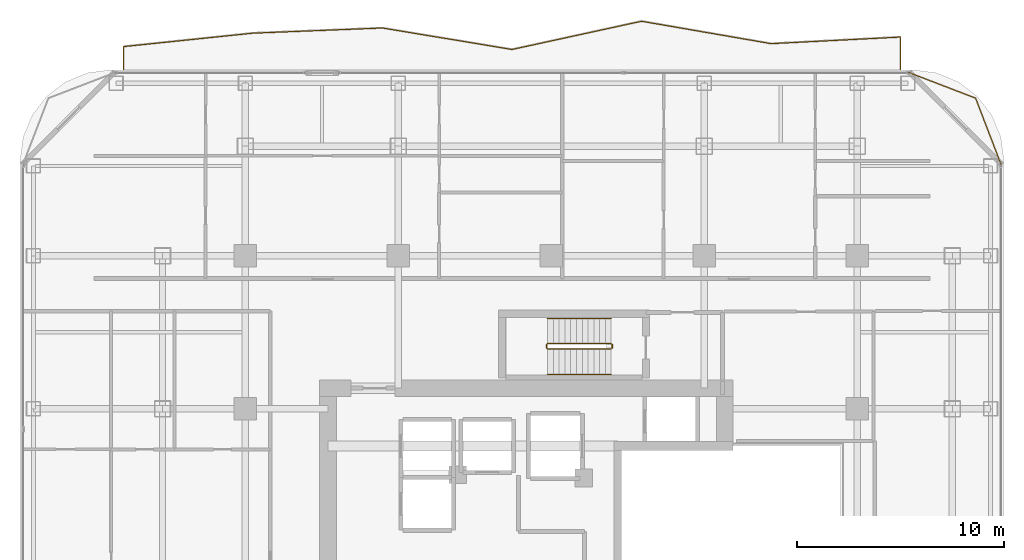
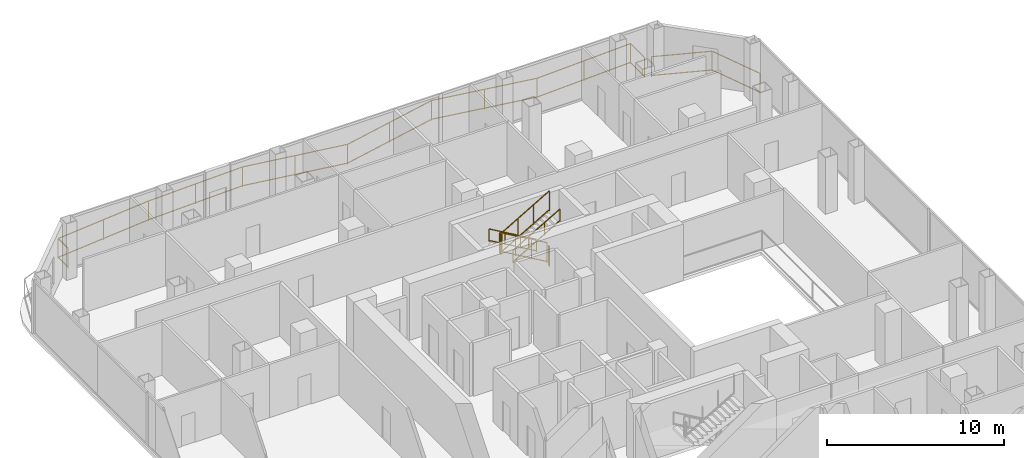
# One storey, part 25 of 25: 8 railings.
"""IFC4 building model written with IfcOpenShell, lengths in metres."""

from ifc_helpers import new_model, si_unit, direction, frame, origin, origin_2d, place, context, subcontext, project, spatial, rectangle, extrude, material, type_object, element, save


model = new_model("IFC4")

# Units and contexts
model_context = context("Model", 3, precision=1e-05, world=origin(), true_north=direction((0.0, 1.0)))
body_context = subcontext(model_context, "Body", "Model", "MODEL_VIEW")
ifc_project = project(units=[si_unit("LENGTHUNIT", "METRE"), si_unit("AREAUNIT", "SQUARE_METRE"), si_unit("VOLUMEUNIT", "CUBIC_METRE"), si_unit("PLANEANGLEUNIT", "RADIAN"), si_unit("MASSUNIT", "GRAM", prefix="KILO")], contexts=[model_context])

# Site, building, storey
site_placement = place(None, origin())
site = spatial("IfcSite", under=ifc_project, at=site_placement, CompositionType="ELEMENT")
building_placement = place(site_placement, origin())
building = spatial("IfcBuilding", under=site, at=building_placement, Name="Khorvyn Point Tower", CompositionType="ELEMENT")
storey_placement = place(building_placement, frame((0.0, 0.0, 171.89990234375)))
storey = spatial("IfcBuildingStorey", under=building, at=storey_placement, Name="L42", CompositionType="ELEMENT", Elevation=171.89990234375)

# Railings
ifc_material_1 = material(Name="Anodised aluminium 6063-T6 and laminated safety glass", Category="aluminium")
railing_type_1 = type_object("IfcRailingType", Name="Laminated Glass and Aluminium Balcony Guardrail 1400", PredefinedType="BALUSTRADE", material=ifc_material_1)
railing_1_placement = place(storey_placement, frame((21.774169921875, 19.176025390625, 0.0)))
element("IfcRailing", 1, at=railing_1_placement, inside=storey, type_object=railing_type_1, Name="L42 Rounded Corner Edge Guardrail NE", PredefinedType="BALUSTRADE", context=body_context, shape_type="SweptSolid", body=[
    extrude(rectangle(XDim=0.048095703125, YDim=0.048095703125, at=origin_2d()), frame((0.0, 0.0, 1.3759765625), z_axis=(-0.358382264808, 0.933574931257, 0.0), x_axis=(-0.933574931257, -0.358382264808, 0.0)), (0.0, 0.0, 1.0), 3.481689453125),
    extrude(rectangle(XDim=0.048095703125, YDim=0.048095703125, at=origin_2d()), frame((0.0, 0.0, 0.080078125), z_axis=(-0.358382264808, 0.933574931257, 0.0), x_axis=(-0.933574931257, -0.358382264808, 0.0)), (0.0, 0.0, 1.0), 3.481689453125),
    extrude(rectangle(XDim=0.048095703125, YDim=0.048095703125, at=origin_2d()), frame((-1.247802734375, 3.25048828125, 1.3759765625), z_axis=(-0.933598390295, 0.358321148746, 0.0), x_axis=(-0.358321148746, -0.933598390295, 0.0)), (0.0, 0.0, 1.0), 3.481689453125),
    extrude(rectangle(XDim=0.048095703125, YDim=0.048095703125, at=origin_2d()), frame((-1.247802734375, 3.25048828125, 0.080078125), z_axis=(-0.933598390295, 0.358321148746, 0.0), x_axis=(-0.358321148746, -0.933598390295, 0.0)), (0.0, 0.0, 1.0), 3.481689453125),
    extrude(rectangle(XDim=0.0419921875, YDim=0.0419921875, at=origin_2d()), origin(), (0.0, 0.0, 1.0), 1.351806640625),
    extrude(rectangle(XDim=0.0419921875, YDim=0.0419921875, at=origin_2d()), frame((-1.247802734375, 3.25048828125, 0.0)), (0.0, 0.0, 1.0), 1.351806640625),
    extrude(rectangle(XDim=0.0419921875, YDim=0.0419921875, at=origin_2d()), frame((-4.498291015625, 4.498046875, 0.0)), (0.0, 0.0, 1.0), 1.351806640625),
])
railing_2_placement = place(storey_placement, frame((16.89990234375, 23.800048828125, 0.0)))
element("IfcRailing", 2, at=railing_2_placement, inside=storey, type_object=railing_type_1, Name="L42 North Balcony Guardrail", PredefinedType="BALUSTRADE", context=body_context, shape_type="SweptSolid", body=[
    extrude(rectangle(XDim=0.048095703125, YDim=0.048095703125, at=origin_2d()), frame((0.0, 0.0, 1.3759765625), z_axis=(0.0, 1.0, 0.0), x_axis=(-1.0, 0.0, 0.0)), (0.0, 0.0, 1.0), 1.58154296875),
    extrude(rectangle(XDim=0.048095703125, YDim=0.048095703125, at=origin_2d()), frame((0.0, 0.0, 0.080078125), z_axis=(0.0, 1.0, 0.0), x_axis=(-1.0, 0.0, 0.0)), (0.0, 0.0, 1.0), 1.58154296875),
    extrude(rectangle(XDim=0.048095703125, YDim=0.048095703125, at=origin_2d()), frame((0.0, 1.58154296875, 1.3759765625), z_axis=(-0.998706121207, -0.050853549183, 0.0), x_axis=(0.050853549183, -0.998706121207, 0.0)), (0.0, 0.0, 1.0), 6.274658203125),
    extrude(rectangle(XDim=0.048095703125, YDim=0.048095703125, at=origin_2d()), frame((0.0, 1.58154296875, 0.080078125), z_axis=(-0.998706121207, -0.050853549183, 0.0), x_axis=(0.050853549183, -0.998706121207, 0.0)), (0.0, 0.0, 1.0), 6.274658203125),
    extrude(rectangle(XDim=0.048095703125, YDim=0.048095703125, at=origin_2d()), frame((-6.2666015625, 1.262451171875, 1.3759765625), z_axis=(-0.985353979217, 0.170521364177, 0.0), x_axis=(-0.170521364177, -0.985353979217, 0.0)), (0.0, 0.0, 1.0), 6.35986328125),
    extrude(rectangle(XDim=0.048095703125, YDim=0.048095703125, at=origin_2d()), frame((-6.2666015625, 1.262451171875, 0.080078125), z_axis=(-0.985353979217, 0.170521364177, 0.0), x_axis=(-0.170521364177, -0.985353979217, 0.0)), (0.0, 0.0, 1.0), 6.35986328125),
    extrude(rectangle(XDim=0.048095703125, YDim=0.048095703125, at=origin_2d()), frame((-12.533203125, 2.346923828125, 1.3759765625), z_axis=(-0.977049765943, -0.213011161377, 0.0), x_axis=(0.213011161377, -0.977049765943, 0.0)), (0.0, 0.0, 1.0), 6.413818359375),
    extrude(rectangle(XDim=0.048095703125, YDim=0.048095703125, at=origin_2d()), frame((-12.533203125, 2.346923828125, 0.080078125), z_axis=(-0.977049765943, -0.213011161377, 0.0), x_axis=(0.213011161377, -0.977049765943, 0.0)), (0.0, 0.0, 1.0), 6.413818359375),
    extrude(rectangle(XDim=0.048095703125, YDim=0.048095703125, at=origin_2d()), frame((-18.7998046875, 0.980712890625, 1.3759765625), z_axis=(-0.986525523457, 0.163607431273, 0.0), x_axis=(-0.163607431273, -0.986525523457, 0.0)), (0.0, 0.0, 1.0), 6.3525390625),
    extrude(rectangle(XDim=0.048095703125, YDim=0.048095703125, at=origin_2d()), frame((-18.7998046875, 0.980712890625, 0.080078125), z_axis=(-0.986525523457, 0.163607431273, 0.0), x_axis=(-0.163607431273, -0.986525523457, 0.0)), (0.0, 0.0, 1.0), 6.3525390625),
    extrude(rectangle(XDim=0.048095703125, YDim=0.048095703125, at=origin_2d()), frame((-25.066650390625, 2.02001953125, 1.3759765625), z_axis=(-0.999209826541, -0.039745723582, 0.0), x_axis=(0.039745723582, -0.999209826541, 0.0)), (0.0, 0.0, 1.0), 6.271484375),
    extrude(rectangle(XDim=0.048095703125, YDim=0.048095703125, at=origin_2d()), frame((-25.066650390625, 2.02001953125, 0.080078125), z_axis=(-0.999209826541, -0.039745723582, 0.0), x_axis=(0.039745723582, -0.999209826541, 0.0)), (0.0, 0.0, 1.0), 6.271484375),
    extrude(rectangle(XDim=0.048095703125, YDim=0.048095703125, at=origin_2d()), frame((-31.333251953125, 1.770751953125, 1.3759765625), z_axis=(-0.99462938435, -0.103500665638, 0.0), x_axis=(0.103500665638, -0.99462938435, 0.0)), (0.0, 0.0, 1.0), 6.300537109375),
    extrude(rectangle(XDim=0.048095703125, YDim=0.048095703125, at=origin_2d()), frame((-31.333251953125, 1.770751953125, 0.080078125), z_axis=(-0.99462938435, -0.103500665638, 0.0), x_axis=(0.103500665638, -0.99462938435, 0.0)), (0.0, 0.0, 1.0), 6.300537109375),
    extrude(rectangle(XDim=0.048095703125, YDim=0.048095703125, at=origin_2d()), frame((-37.599853515625, 1.11865234375, 1.3759765625), z_axis=(0.0, -1.0, 0.0), x_axis=(1.0, 0.0, 0.0)), (0.0, 0.0, 1.0), 1.11865234375),
    extrude(rectangle(XDim=0.048095703125, YDim=0.048095703125, at=origin_2d()), frame((-37.599853515625, 1.11865234375, 0.080078125), z_axis=(0.0, -1.0, 0.0), x_axis=(1.0, 0.0, 0.0)), (0.0, 0.0, 1.0), 1.11865234375),
    extrude(rectangle(XDim=0.0419921875, YDim=0.0419921875, at=origin_2d()), origin(), (0.0, 0.0, 1.0), 1.351806640625),
    extrude(rectangle(XDim=0.0419921875, YDim=0.0419921875, at=origin_2d()), frame((0.0, 1.58154296875, 0.0)), (0.0, 0.0, 1.0), 1.351806640625),
    extrude(rectangle(XDim=0.0419921875, YDim=0.0419921875, at=origin_2d()), frame((-3.13330078125, 1.421875, 0.0)), (0.0, 0.0, 1.0), 1.351806640625),
    extrude(rectangle(XDim=0.0419921875, YDim=0.0419921875, at=origin_2d()), frame((-6.2666015625, 1.262451171875, 0.0)), (0.0, 0.0, 1.0), 1.351806640625),
    extrude(rectangle(XDim=0.0419921875, YDim=0.0419921875, at=origin_2d()), frame((-9.39990234375, 1.8046875, 0.0)), (0.0, 0.0, 1.0), 1.351806640625),
    extrude(rectangle(XDim=0.0419921875, YDim=0.0419921875, at=origin_2d()), frame((-12.533203125, 2.346923828125, 0.0)), (0.0, 0.0, 1.0), 1.351806640625),
    extrude(rectangle(XDim=0.0419921875, YDim=0.0419921875, at=origin_2d()), frame((-15.66650390625, 1.663818359375, 0.0)), (0.0, 0.0, 1.0), 1.351806640625),
    extrude(rectangle(XDim=0.0419921875, YDim=0.0419921875, at=origin_2d()), frame((-18.7998046875, 0.980712890625, 0.0)), (0.0, 0.0, 1.0), 1.351806640625),
    extrude(rectangle(XDim=0.0419921875, YDim=0.0419921875, at=origin_2d()), frame((-21.93310546875, 1.50048828125, 0.0)), (0.0, 0.0, 1.0), 1.351806640625),
    extrude(rectangle(XDim=0.0419921875, YDim=0.0419921875, at=origin_2d()), frame((-25.066650390625, 2.02001953125, 0.0)), (0.0, 0.0, 1.0), 1.351806640625),
    extrude(rectangle(XDim=0.0419921875, YDim=0.0419921875, at=origin_2d()), frame((-28.199951171875, 1.8955078125, 0.0)), (0.0, 0.0, 1.0), 1.351806640625),
    extrude(rectangle(XDim=0.0419921875, YDim=0.0419921875, at=origin_2d()), frame((-31.333251953125, 1.770751953125, 0.0)), (0.0, 0.0, 1.0), 1.351806640625),
    extrude(rectangle(XDim=0.0419921875, YDim=0.0419921875, at=origin_2d()), frame((-34.466552734375, 1.44482421875, 0.0)), (0.0, 0.0, 1.0), 1.351806640625),
    extrude(rectangle(XDim=0.0419921875, YDim=0.0419921875, at=origin_2d()), frame((-37.599853515625, 1.11865234375, 0.0)), (0.0, 0.0, 1.0), 1.351806640625),
    extrude(rectangle(XDim=0.0419921875, YDim=0.0419921875, at=origin_2d()), frame((-37.599853515625, 0.0, 0.0)), (0.0, 0.0, 1.0), 1.351806640625),
])
ifc_material_2 = material(Name="Stainless steel 1.4301", Category="steel")
railing_type_2 = type_object("IfcRailingType", Name="Stainless Steel 304 Stair Pitch Handrail 900", PredefinedType="HANDRAIL", material=ifc_material_2)
railing_3_placement = place(storey_placement, frame((2.89990234375, 11.77001953125, 0.16259765625)))
element("IfcRailing", 3, at=railing_3_placement, inside=storey, type_object=railing_type_2, Name="L42 ST-02 stair handrail 1", PredefinedType="HANDRAIL", context=body_context, shape_type="SweptSolid", body=[
    extrude(rectangle(XDim=0.048095703125, YDim=0.048095703125, at=origin_2d()), frame((0.0, 0.0, 0.8759765625), z_axis=(-0.864873446163, 0.0, 0.501989962173), x_axis=(0.0, -1.0, 0.0)), (0.0, 0.0, 1.0), 3.56103515625),
    extrude(rectangle(XDim=0.048095703125, YDim=0.048095703125, at=origin_2d()), frame((0.0, 0.0, 0.080078125), z_axis=(-0.864873446163, 0.0, 0.501989962173), x_axis=(0.0, -1.0, 0.0)), (0.0, 0.0, 1.0), 3.56103515625),
    extrude(rectangle(XDim=0.0419921875, YDim=0.0419921875, at=origin_2d()), origin(), (0.0, 0.0, 1.0), 0.851806640625),
    extrude(rectangle(XDim=0.0419921875, YDim=0.0419921875, at=origin_2d()), frame((-1.026611328125, 0.0, 0.595947265625)), (0.0, 0.0, 1.0), 0.851806640625),
    extrude(rectangle(XDim=0.0419921875, YDim=0.0419921875, at=origin_2d()), frame((-2.05322265625, 0.0, 1.191650390625)), (0.0, 0.0, 1.0), 0.851806640625),
    extrude(rectangle(XDim=0.0419921875, YDim=0.0419921875, at=origin_2d()), frame((-3.079833984375, 0.0, 1.78759765625)), (0.0, 0.0, 1.0), 0.851806640625),
])
railing_4_placement = place(storey_placement, frame((-0.179931640625, 9.070068359375, 2.112548828125)))
element("IfcRailing", 4, at=railing_4_placement, inside=storey, type_object=railing_type_2, Name="L42 ST-02 stair handrail 2", PredefinedType="HANDRAIL", context=body_context, shape_type="SweptSolid", body=[
    extrude(rectangle(XDim=0.048095703125, YDim=0.048095703125, at=origin_2d()), frame((0.0, 0.0, 0.8759765625), z_axis=(0.864873446163, 0.0, 0.501989962173), x_axis=(0.0, 1.0, 0.0)), (0.0, 0.0, 1.0), 3.56103515625),
    extrude(rectangle(XDim=0.048095703125, YDim=0.048095703125, at=origin_2d()), frame((0.0, 0.0, 0.080078125), z_axis=(0.864873446163, 0.0, 0.501989962173), x_axis=(0.0, 1.0, 0.0)), (0.0, 0.0, 1.0), 3.56103515625),
    extrude(rectangle(XDim=0.0419921875, YDim=0.0419921875, at=origin_2d()), origin(), (0.0, 0.0, 1.0), 0.851806640625),
    extrude(rectangle(XDim=0.0419921875, YDim=0.0419921875, at=origin_2d()), frame((1.026611328125, 0.0, 0.595947265625)), (0.0, 0.0, 1.0), 0.851806640625),
    extrude(rectangle(XDim=0.0419921875, YDim=0.0419921875, at=origin_2d()), frame((2.05322265625, 0.0, 1.191650390625)), (0.0, 0.0, 1.0), 0.851806640625),
    extrude(rectangle(XDim=0.0419921875, YDim=0.0419921875, at=origin_2d()), frame((3.079833984375, 0.0, 1.78759765625)), (0.0, 0.0, 1.0), 0.851806640625),
])
railing_type_3 = type_object("IfcRailingType", Name="Stainless Steel 304 Stair Well Guardrail 1400", PredefinedType="GUARDRAIL", material=ifc_material_2)
railing_5_placement = place(storey_placement, frame((2.89990234375, 10.550048828125, 0.16259765625)))
element("IfcRailing", 5, at=railing_5_placement, inside=storey, type_object=railing_type_3, Name="L42 ST-02 stair guard 1", PredefinedType="GUARDRAIL", context=body_context, shape_type="SweptSolid", body=[
    extrude(rectangle(XDim=0.048095703125, YDim=0.048095703125, at=origin_2d()), frame((0.0, 0.0, 1.3759765625), z_axis=(-0.864873446163, 0.0, 0.501989962173), x_axis=(0.0, -1.0, 0.0)), (0.0, 0.0, 1.0), 3.56103515625),
    extrude(rectangle(XDim=0.048095703125, YDim=0.048095703125, at=origin_2d()), frame((0.0, 0.0, 0.080078125), z_axis=(-0.864873446163, 0.0, 0.501989962173), x_axis=(0.0, -1.0, 0.0)), (0.0, 0.0, 1.0), 3.56103515625),
    extrude(rectangle(XDim=0.0419921875, YDim=0.0419921875, at=origin_2d()), origin(), (0.0, 0.0, 1.0), 1.351806640625),
    extrude(rectangle(XDim=0.0419921875, YDim=0.0419921875, at=origin_2d()), frame((-1.026611328125, 0.0, 0.595947265625)), (0.0, 0.0, 1.0), 1.351806640625),
    extrude(rectangle(XDim=0.0419921875, YDim=0.0419921875, at=origin_2d()), frame((-2.05322265625, 0.0, 1.191650390625)), (0.0, 0.0, 1.0), 1.351806640625),
    extrude(rectangle(XDim=0.0419921875, YDim=0.0419921875, at=origin_2d()), frame((-3.079833984375, 0.0, 1.78759765625)), (0.0, 0.0, 1.0), 1.351806640625),
])
railing_6_placement = place(storey_placement, frame((-0.22998046875, 10.5, 1.9501953125)))
element("IfcRailing", 6, at=railing_6_placement, inside=storey, type_object=railing_type_3, Name="L42 ST-02 stair guard 2", PredefinedType="GUARDRAIL", context=body_context, shape_type="SweptSolid", body=[
    extrude(rectangle(XDim=0.048095703125, YDim=0.048095703125, at=origin_2d()), frame((0.0, 0.0, 1.3759765625), z_axis=(0.0, -1.0, 0.0), x_axis=(1.0, 0.0, 0.0)), (0.0, 0.0, 1.0), 0.159912109375),
    extrude(rectangle(XDim=0.048095703125, YDim=0.048095703125, at=origin_2d()), frame((0.0, 0.0, 0.080078125), z_axis=(0.0, -1.0, 0.0), x_axis=(1.0, 0.0, 0.0)), (0.0, 0.0, 1.0), 0.159912109375),
    extrude(rectangle(XDim=0.0419921875, YDim=0.0419921875, at=origin_2d()), origin(), (0.0, 0.0, 1.0), 1.351806640625),
    extrude(rectangle(XDim=0.0419921875, YDim=0.0419921875, at=origin_2d()), frame((0.0, -0.159912109375, 0.0)), (0.0, 0.0, 1.0), 1.351806640625),
])
railing_7_placement = place(storey_placement, frame((-0.179931640625, 10.2900390625, 2.112548828125)))
element("IfcRailing", 7, at=railing_7_placement, inside=storey, type_object=railing_type_3, Name="L42 ST-02 stair guard 3", PredefinedType="GUARDRAIL", context=body_context, shape_type="SweptSolid", body=[
    extrude(rectangle(XDim=0.048095703125, YDim=0.048095703125, at=origin_2d()), frame((0.0, 0.0, 1.3759765625), z_axis=(0.864873446163, 0.0, 0.501989962173), x_axis=(0.0, 1.0, 0.0)), (0.0, 0.0, 1.0), 3.56103515625),
    extrude(rectangle(XDim=0.048095703125, YDim=0.048095703125, at=origin_2d()), frame((0.0, 0.0, 0.080078125), z_axis=(0.864873446163, 0.0, 0.501989962173), x_axis=(0.0, 1.0, 0.0)), (0.0, 0.0, 1.0), 3.56103515625),
    extrude(rectangle(XDim=0.0419921875, YDim=0.0419921875, at=origin_2d()), origin(), (0.0, 0.0, 1.0), 1.351806640625),
    extrude(rectangle(XDim=0.0419921875, YDim=0.0419921875, at=origin_2d()), frame((1.026611328125, 0.0, 0.595947265625)), (0.0, 0.0, 1.0), 1.351806640625),
    extrude(rectangle(XDim=0.0419921875, YDim=0.0419921875, at=origin_2d()), frame((2.05322265625, 0.0, 1.191650390625)), (0.0, 0.0, 1.0), 1.351806640625),
    extrude(rectangle(XDim=0.0419921875, YDim=0.0419921875, at=origin_2d()), frame((3.079833984375, 0.0, 1.78759765625)), (0.0, 0.0, 1.0), 1.351806640625),
])
railing_8_placement = place(storey_placement, frame((2.949951171875, 10.5, 0.0)))
element("IfcRailing", 8, at=railing_8_placement, inside=storey, type_object=railing_type_3, Name="L42 ST-02 stair guard 4", PredefinedType="GUARDRAIL", context=body_context, shape_type="SweptSolid", body=[
    extrude(rectangle(XDim=0.048095703125, YDim=0.048095703125, at=origin_2d()), frame((0.0, 0.0, 1.3759765625), z_axis=(0.0, -1.0, 0.0), x_axis=(1.0, 0.0, 0.0)), (0.0, 0.0, 1.0), 0.159912109375),
    extrude(rectangle(XDim=0.048095703125, YDim=0.048095703125, at=origin_2d()), frame((0.0, 0.0, 0.080078125), z_axis=(0.0, -1.0, 0.0), x_axis=(1.0, 0.0, 0.0)), (0.0, 0.0, 1.0), 0.159912109375),
    extrude(rectangle(XDim=0.0419921875, YDim=0.0419921875, at=origin_2d()), origin(), (0.0, 0.0, 1.0), 1.351806640625),
    extrude(rectangle(XDim=0.0419921875, YDim=0.0419921875, at=origin_2d()), frame((0.0, -0.159912109375, 0.0)), (0.0, 0.0, 1.0), 1.351806640625),
])

save(model, "model.ifc")
